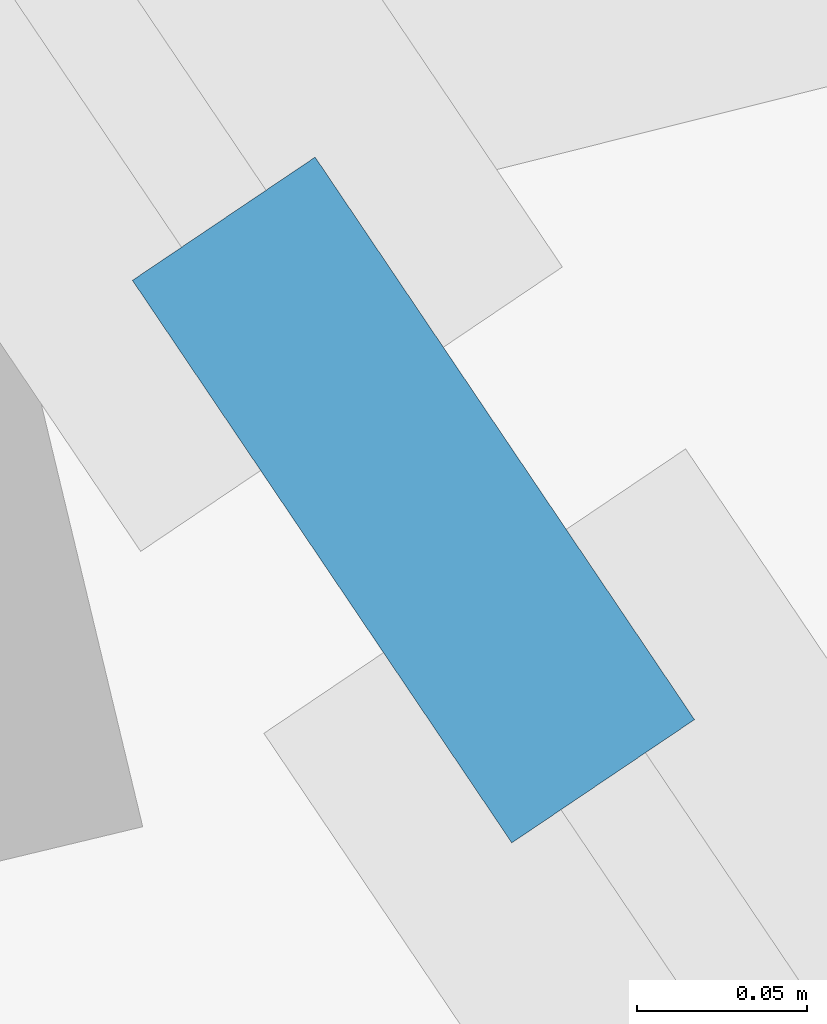
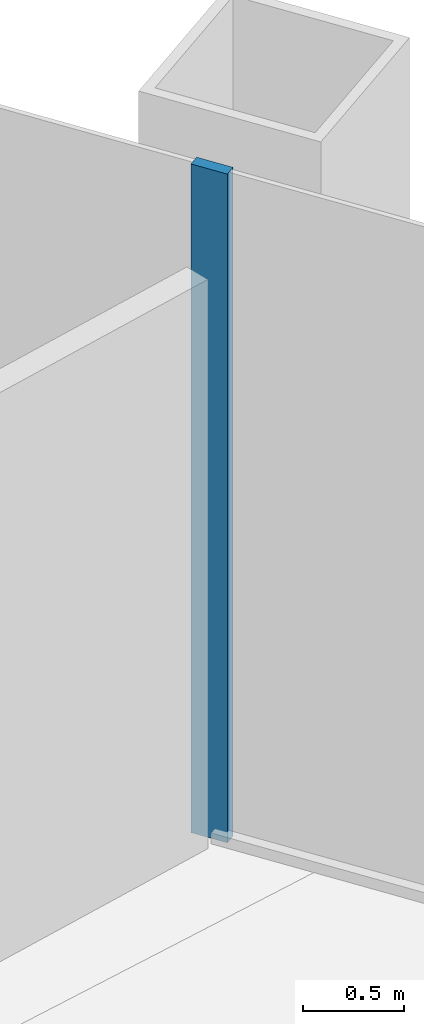
# One storey, part 5 of 14: 1 member, 1 element without a shape of its own.
"""IFC4 building model written with IfcOpenShell, lengths in metres."""

from ifc_helpers import new_model, si_unit, direction, frame, origin, origin_2d, place, context, subcontext, project, spatial, rectangle, extrude, material, material_profile, profile_set, type_object, element, aggregate, save


model = new_model("IFC4")

# Units and contexts
model_context = context("Model", 3, precision=1e-05, world=origin(), true_north=direction((0.0, 1.0)))
body_context = subcontext(model_context, "Body", "Model", "MODEL_VIEW")
ifc_project = project(units=[si_unit("LENGTHUNIT", "METRE"), si_unit("AREAUNIT", "SQUARE_METRE"), si_unit("VOLUMEUNIT", "CUBIC_METRE"), si_unit("PLANEANGLEUNIT", "RADIAN"), si_unit("MASSUNIT", "GRAM", prefix="KILO")], contexts=[model_context])

# Site, building, storey
site_placement = place(None, origin())
site = spatial("IfcSite", under=ifc_project, at=site_placement, CompositionType="ELEMENT")
building_placement = place(site_placement, origin())
building = spatial("IfcBuilding", under=site, at=building_placement, Name="Qingtian Harvest Tower", CompositionType="ELEMENT")
storey_placement = place(building_placement, frame((0.0, 0.0, 239.199951171875)))
storey = spatial("IfcBuildingStorey", under=building, at=storey_placement, Name="L52", CompositionType="ELEMENT", Elevation=239.199951171875)

# Curtain wall, member
ifc_material_1 = material(Name="Bronze-anodised aluminium curtain wall", Category="aluminium")
curtain_wall_type = type_object("IfcCurtainWallType", Name="Curtain wall CW4 office", PredefinedType="USERDEFINED", material=ifc_material_1)
curtain_wall_placement = place(storey_placement, origin())
curtain_wall = element("IfcCurtainWall", 1, at=curtain_wall_placement, inside=storey, type_object=curtain_wall_type, Name="Curtain wall CW4 L52 NE0-5", ObjectType="RECESSED CURTAIN WALL", PredefinedType="USERDEFINED")
ifc_material_2 = material(Name="Bronze-anodised aluminium mullion", Category="aluminium")
ifc_material_profile = material_profile(ifc_material_2, rectangle(XDim=0.06494140625, YDim=0.199951171875, at=origin_2d()), Name="AL 65x200")
ifc_profile_set = profile_set([ifc_material_profile], Name="Bronze-anodised aluminium mullion")
member_type = type_object("IfcMemberType", Name="Mullion CWM 65x200", PredefinedType="MULLION", material=ifc_profile_set)
member_placement = place(storey_placement, frame((23.150390625, 5.55712890625, 0.0), z_axis=(0.0, 0.0, 1.0), x_axis=(0.829037572555, 0.559192903471, 0.0)))
member = element("IfcMember", 2, at=member_placement, type_object=member_type, Name="CW4 mullion 6", PredefinedType="MULLION", context=body_context, shape_type="SweptSolid", body=[
    extrude(rectangle(XDim=0.06494140625, YDim=0.199951171875, at=origin_2d()), origin(), (0.0, 0.0, 1.0), 4.030029296875),
])
aggregate(curtain_wall, [member])

save(model, "model.ifc")
